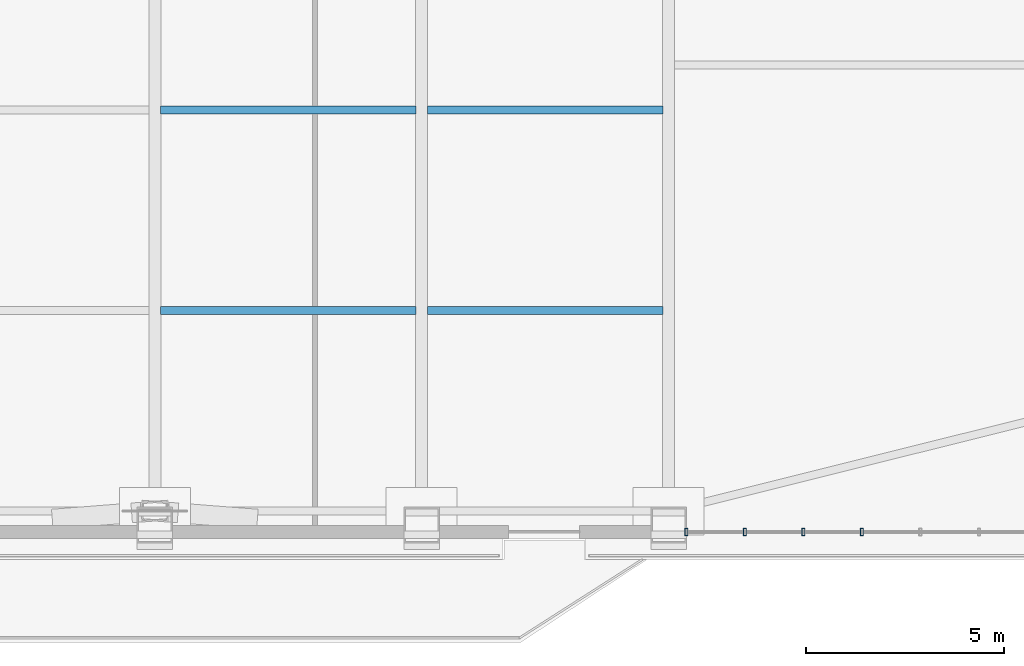
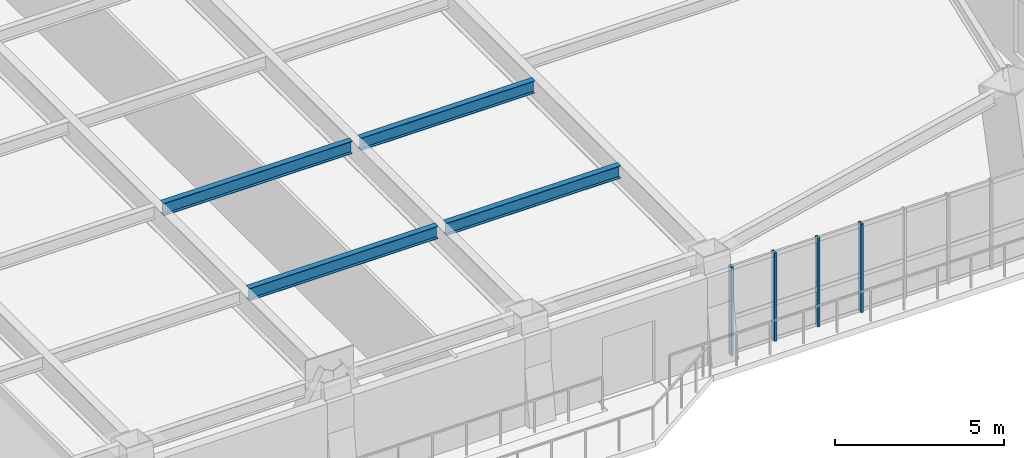
# One storey, part 4 of 15: 4 beams, 4 members, 1 element without a shape of its own.
"""IFC4 building model written with IfcOpenShell, lengths in metres."""

from ifc_helpers import new_model, si_unit, direction, frame, origin, origin_2d, place, context, subcontext, project, spatial, hollow_rectangle, i_section, extrude, source, transform, mapped, material, layer, layer_set, material_profile, profile_set, type_object, element, aggregate, save


model = new_model("IFC4")

# Units and contexts
model_context = context("Model", 3, precision=1e-05, world=origin(), true_north=direction((0.0, 1.0)))
body_context = subcontext(model_context, "Body", "Model", "MODEL_VIEW")
ifc_project = project(units=[si_unit("LENGTHUNIT", "METRE"), si_unit("AREAUNIT", "SQUARE_METRE"), si_unit("VOLUMEUNIT", "CUBIC_METRE"), si_unit("PLANEANGLEUNIT", "RADIAN"), si_unit("MASSUNIT", "GRAM", prefix="KILO")], contexts=[model_context])

# Site, building, storey
site_placement = place(None, origin())
site = spatial("IfcSite", under=ifc_project, at=site_placement, CompositionType="ELEMENT")
building_placement = place(site_placement, origin())
building = spatial("IfcBuilding", under=site, at=building_placement, Name="Giltprow Tower", CompositionType="ELEMENT")
storey_placement = place(building_placement, frame((0.0, 0.0, 107.5)))
storey = spatial("IfcBuildingStorey", under=building, at=storey_placement, Name="L26", CompositionType="ELEMENT", Elevation=107.5)

# Beams
ifc_material_1 = material(Name="Structural steel Q355B", Category="steel")
ifc_material_profile_1 = material_profile(ifc_material_1, i_section(OverallWidth=0.199951171875, OverallDepth=0.449951171875, WebThickness=0.009033203125, FlangeThickness=0.013916015625, at=origin_2d()), Name="HN 450x200x9x14")
ifc_profile_set_1 = profile_set([ifc_material_profile_1], Name="Structural steel Q355B")
beam_type = type_object("IfcBeamType", Name="BM-JOIST-HN450", PredefinedType="JOIST", material=ifc_profile_set_1)
shared_shape_1 = source(origin(), body_context, "Body", "SweptSolid", [
    extrude(i_section(OverallWidth=0.199951171875, OverallDepth=0.449951171875, WebThickness=0.009033203125, FlangeThickness=0.013916015625, at=origin_2d()), origin(), (0.0, 0.0, 1.0), 6.4599609375),
])
for number, where, z_axis, x_axis, name in (
    (1, (37.695068359375, 12.06689453125, 3.455078125), (1.0, 0.0, 0.0), (0.0, 1.0, 0.0), "L26 Composite Floor Joist 1-3"),
    (2, (37.695068359375, 17.14306640625, 3.455078125), (1.0, 0.0, 0.0), (0.0, 1.0, 0.0), "L26 Composite Floor Joist 2-3"),
):
    element("IfcBeam", number, at=place(storey_placement, frame(where, z_axis=z_axis, x_axis=x_axis)), inside=storey, type_object=beam_type, Name=name, PredefinedType="JOIST", context=body_context, shape_type="MappedRepresentation", body=[
        mapped(shared_shape_1, transform((0.0, 0.0, 0.0), x_axis=(1.0, 0.0, 0.0), y_axis=(0.0, 1.0, 0.0), z_axis=(0.0, 0.0, 1.0), scale=1.0)),
    ])
shared_shape_2 = source(origin(), body_context, "Body", "SweptSolid", [
    extrude(i_section(OverallWidth=0.199951171875, OverallDepth=0.449951171875, WebThickness=0.009033203125, FlangeThickness=0.013916015625, at=origin_2d()), origin(), (0.0, 0.0, 1.0), 5.9599609375),
])
for number, where, z_axis, x_axis, name in (
    (3, (44.445068359375, 12.06689453125, 3.455078125), (1.0, 0.0, 0.0), (0.0, 1.0, 0.0), "L26 Composite Floor Joist 1-4"),
    (4, (44.445068359375, 17.14306640625, 3.455078125), (1.0, 0.0, 0.0), (0.0, 1.0, 0.0), "L26 Composite Floor Joist 2-4"),
):
    element("IfcBeam", number, at=place(storey_placement, frame(where, z_axis=z_axis, x_axis=x_axis)), inside=storey, type_object=beam_type, Name=name, PredefinedType="JOIST", context=body_context, shape_type="MappedRepresentation", body=[
        mapped(shared_shape_2, transform((0.0, 0.0, 0.0), x_axis=(1.0, 0.0, 0.0), y_axis=(0.0, 1.0, 0.0), z_axis=(0.0, 0.0, 1.0), scale=1.0)),
    ])

# Curtain wall, members
ifc_material_2 = material(Name="Anodized bronze", Category="metal")
ifc_layer = layer(ifc_material_2, 0.179931640625, Name="Anodized bronze")
ifc_layer_set = layer_set([ifc_layer], Name="Anodized bronze")
curtain_wall_type = type_object("IfcCurtainWallType", Name="CW-OFF-RECESSED", PredefinedType="NOTDEFINED", material=ifc_layer_set)
curtain_wall_placement = place(storey_placement, origin())
curtain_wall = element("IfcCurtainWall", 5, at=curtain_wall_placement, inside=storey, type_object=curtain_wall_type, Name="L26 South Recessed Curtain Wall 6", PredefinedType="NOTDEFINED")
ifc_material_profile_2 = material_profile(ifc_material_2, hollow_rectangle(XDim=0.074951171875, YDim=0.179931640625, WallThickness=0.008056640625, at=origin_2d()), Name="RHS 180x75x8")
ifc_profile_set_2 = profile_set([ifc_material_profile_2], Name="Anodized bronze")
member_type = type_object("IfcMemberType", Name="CW-MULLION-180x75", PredefinedType="MULLION", material=ifc_profile_set_2)
shared_shape_3 = source(origin(), body_context, "Body", "SweptSolid", [
    extrude(hollow_rectangle(XDim=0.074951171875, YDim=0.179931640625, WallThickness=0.008056640625, at=origin_2d()), origin(), (0.0, 0.0, 1.0), 3.215087890625),
])
member_1_placement = place(storey_placement, frame((51.0, 6.4619140625, -0.02001953125), z_axis=(0.0, 0.0, 1.0), x_axis=(1.0, 0.0, 0.0)))
member_1 = element("IfcMember", 6, at=member_1_placement, type_object=member_type, Name="L26 South Recessed Curtain Wall 6 Mullion 1", PredefinedType="MULLION", context=body_context, shape_type="MappedRepresentation", body=[
    mapped(shared_shape_3, transform((0.0, 0.0, 0.0), x_axis=(1.0, 0.0, 0.0), y_axis=(0.0, 1.0, 0.0), z_axis=(0.0, 0.0, 1.0), scale=1.0)),
])
member_2_placement = place(storey_placement, frame((52.48095703125, 6.4619140625, -0.02001953125), z_axis=(0.0, 0.0, 1.0), x_axis=(1.0, 0.0, 0.0)))
member_2 = element("IfcMember", 7, at=member_2_placement, type_object=member_type, Name="L26 South Recessed Curtain Wall 6 Mullion 2", PredefinedType="MULLION", context=body_context, shape_type="MappedRepresentation", body=[
    mapped(shared_shape_3, transform((0.0, 0.0, 0.0), x_axis=(1.0, 0.0, 0.0), y_axis=(0.0, 1.0, 0.0), z_axis=(0.0, 0.0, 1.0), scale=1.0)),
])
member_3_placement = place(storey_placement, frame((53.9619140625, 6.4619140625, -0.02001953125), z_axis=(0.0, 0.0, 1.0), x_axis=(1.0, 0.0, 0.0)))
member_3 = element("IfcMember", 8, at=member_3_placement, type_object=member_type, Name="L26 South Recessed Curtain Wall 6 Mullion 3", PredefinedType="MULLION", context=body_context, shape_type="MappedRepresentation", body=[
    mapped(shared_shape_3, transform((0.0, 0.0, 0.0), x_axis=(1.0, 0.0, 0.0), y_axis=(0.0, 1.0, 0.0), z_axis=(0.0, 0.0, 1.0), scale=1.0)),
])
member_4_placement = place(storey_placement, frame((55.443115234375, 6.4619140625, -0.02001953125), z_axis=(0.0, 0.0, 1.0), x_axis=(1.0, 0.0, 0.0)))
member_4 = element("IfcMember", 9, at=member_4_placement, type_object=member_type, Name="L26 South Recessed Curtain Wall 6 Mullion 4", PredefinedType="MULLION", context=body_context, shape_type="MappedRepresentation", body=[
    mapped(shared_shape_3, transform((0.0, 0.0, 0.0), x_axis=(1.0, 0.0, 0.0), y_axis=(0.0, 1.0, 0.0), z_axis=(0.0, 0.0, 1.0), scale=1.0)),
])
aggregate(curtain_wall, [member_1, member_2, member_3, member_4])

save(model, "model.ifc")
